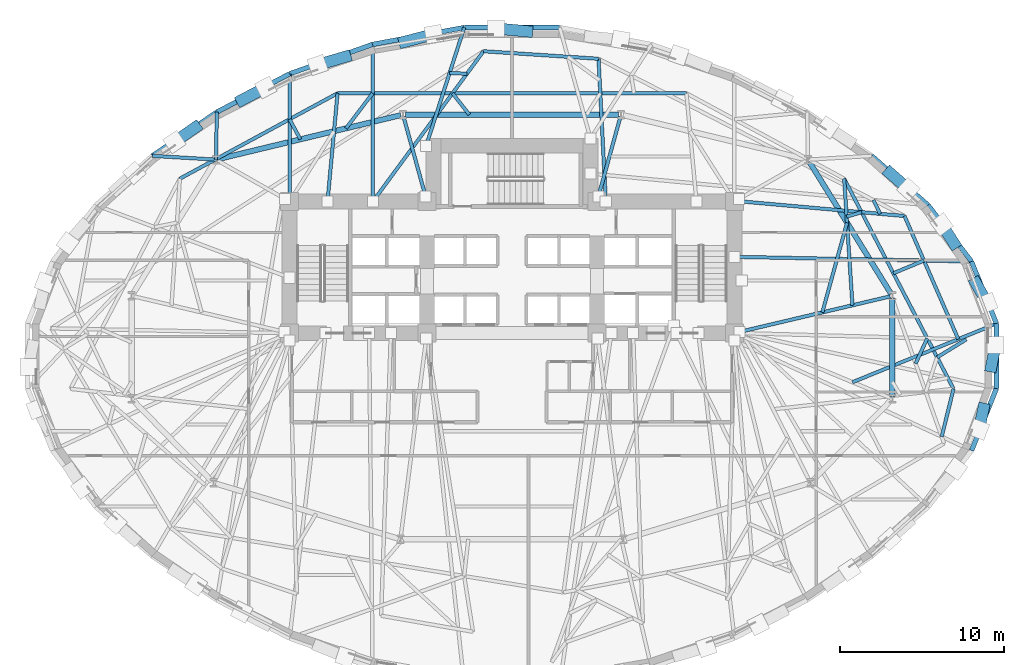
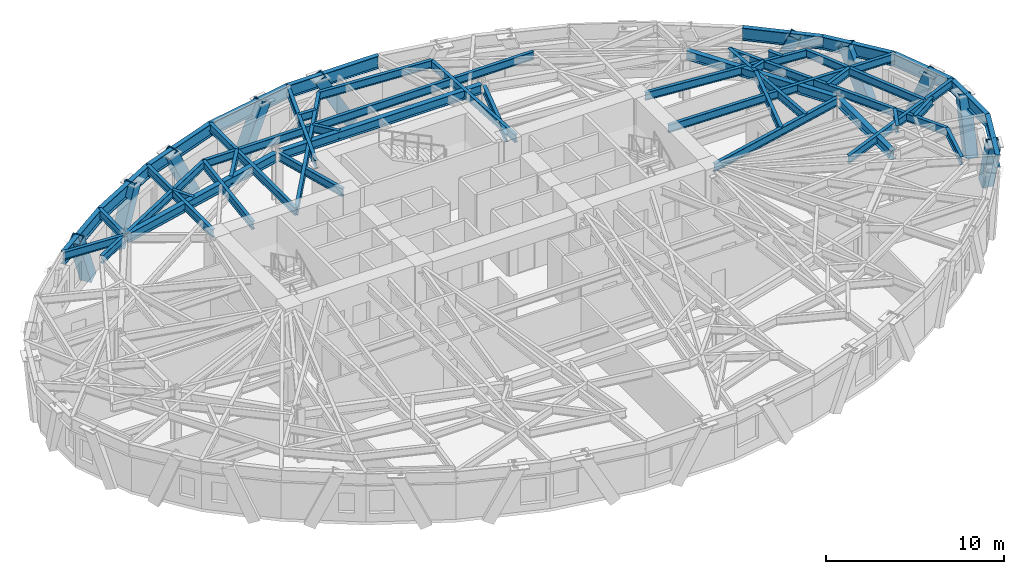
# One storey, part 4 of 14: 45 beams, 10 members.
"""IFC4 building model written with IfcOpenShell, lengths in metres."""

import ifcopenshell
import ifcopenshell.guid

model = None  # the IFC model being written
_history = None  # IfcOwnerHistory: only IFC2X3 demands one
_inside = {}  # id of a spatial element -> (the spatial element, [elements in it])
_under = {}  # id of a project, library or spatial element -> (it, [spatial elements below it])
_declared = {}  # id of a project -> (the project, [libraries it declares])
_typed = {}  # id of a type object -> (the type object, [elements of that type])
_made_of = {}  # id of a material, layer set ... -> (it, [elements and type objects made of it])


def new_model(schema):
    """Start an empty IFC model of exactly this schema.

    Asked for "IFC4X3", IfcOpenShell would pick the latest addendum, in which some entities
    have other attributes; the version numbers below select the first issue.
    IFC2X3 requires an IfcOwnerHistory on every rooted entity: one is made here for all.
    """
    global model, _history
    if schema == "IFC4X3":
        model = ifcopenshell.file(schema_version=(4, 3, 0, 0))
    else:
        model = ifcopenshell.file(schema=schema)
    _inside.clear()
    _under.clear()
    _declared.clear()
    _typed.clear()
    _made_of.clear()
    _history = None
    if model.schema == "IFC2X3":
        org = make("IfcOrganization", Name="unknown")
        user = make(
            "IfcPersonAndOrganization",
            ThePerson=make("IfcPerson", FamilyName="unknown"),
            TheOrganization=org,
        )
        app = make(
            "IfcApplication",
            ApplicationDeveloper=org,
            Version="unknown",
            ApplicationFullName="unknown",
            ApplicationIdentifier="unknown",
        )
        _history = make(
            "IfcOwnerHistory",
            OwningUser=user,
            OwningApplication=app,
            ChangeAction="ADDED",
            CreationDate=0,
        )
    return model


def make(cls, **values):
    """One entity of the class cls with the attributes given. An attribute that is None is left unset."""
    return model.create_entity(
        cls, **{name: value for name, value in values.items() if value is not None}
    )


def rooted(cls, **values):
    """An entity with a GlobalId (a new one), such as an element, a storey or a relation."""
    return make(cls, GlobalId=ifcopenshell.guid.new(), OwnerHistory=_history, **values)


def si_unit(unit_type, name, prefix=None):
    """IfcSIUnit, for example si_unit("LENGTHUNIT", "METRE", prefix="MILLI")."""
    return make("IfcSIUnit", UnitType=unit_type, Prefix=prefix, Name=name)


def assignment(units):
    """IfcUnitAssignment: the units of a project."""
    return None if units is None else make("IfcUnitAssignment", Units=units)


def point(xyz):
    """IfcCartesianPoint."""
    return None if xyz is None else make("IfcCartesianPoint", Coordinates=xyz)


def direction(xyz):
    """IfcDirection."""
    return None if xyz is None else make("IfcDirection", DirectionRatios=xyz)


def frame(location, z_axis=None, x_axis=None):
    """IfcAxis2Placement3D, a coordinate frame: its origin and axes. An axis left out is left unset."""
    return make(
        "IfcAxis2Placement3D",
        Location=point(location),
        Axis=direction(z_axis),
        RefDirection=direction(x_axis),
    )


def frame_2d(location, x_axis=None):
    """IfcAxis2Placement2D, a coordinate frame in the plane: its origin and x axis."""
    return make(
        "IfcAxis2Placement2D", Location=point(location), RefDirection=direction(x_axis)
    )


def origin():
    """The frame at (0, 0, 0) with its axes left unset."""
    return frame((0.0, 0.0, 0.0))


def origin_2d():
    """The frame at (0, 0) in the plane with its x axis left unset."""
    return frame_2d((0.0, 0.0))


def place(relative_to, where):
    """IfcLocalPlacement: puts the frame where relative to a parent placement (None: the world)."""
    return make(
        "IfcLocalPlacement", PlacementRelTo=relative_to, RelativePlacement=where
    )


def context(
    kind, dimensions, precision=None, world=None, true_north=None, identifier=None
):
    """IfcGeometricRepresentationContext, for example the 3D "Model" context."""
    return make(
        "IfcGeometricRepresentationContext",
        ContextIdentifier=identifier,
        ContextType=kind,
        CoordinateSpaceDimension=dimensions,
        Precision=precision,
        WorldCoordinateSystem=world,
        TrueNorth=true_north,
    )


def subcontext(parent, identifier, kind, view, scale=None):
    """IfcGeometricRepresentationSubContext, for example "Body" below "Model"."""
    return make(
        "IfcGeometricRepresentationSubContext",
        ContextIdentifier=identifier,
        ContextType=kind,
        ParentContext=parent,
        TargetScale=scale,
        TargetView=view,
    )


def project(units=None, contexts=None):
    """IfcProject with its units and contexts."""
    return rooted(
        "IfcProject",
        Name="project",
        RepresentationContexts=contexts,
        UnitsInContext=assignment(units),
    )


def spatial(cls, under=None, at=None, **own):
    """A site, building, storey or space (cls), placed at a placement, below another one or the project."""
    s = rooted(cls, ObjectPlacement=at, **own)
    if under is not None:
        _under.setdefault(under.id(), (under, []))[1].append(s)
    return s


def profile(cls, at=None, kind="AREA", **sizes):
    """A parametric profile (cls). Its sizes go by their IFC names, for example OverallWidth=200.0."""
    return make(cls, ProfileType=kind, Position=at, **sizes)


def hollow_rectangle(**sizes):
    """IfcRectangleHollowProfileDef."""
    return profile("IfcRectangleHollowProfileDef", **sizes)


def i_section(**sizes):
    """IfcIShapeProfileDef."""
    return profile("IfcIShapeProfileDef", **sizes)


def extrude(swept, where, along, depth):
    """IfcExtrudedAreaSolid: the profile swept, set in the frame where, extruded along a direction by depth."""
    return make(
        "IfcExtrudedAreaSolid",
        SweptArea=swept,
        Position=where,
        ExtrudedDirection=direction(along),
        Depth=depth,
    )


def shape(context_of_items, identifier, shape_type, items):
    """IfcShapeRepresentation: the items that make up one representation, for example the "Body"."""
    return make(
        "IfcShapeRepresentation",
        ContextOfItems=context_of_items,
        RepresentationIdentifier=identifier,
        RepresentationType=shape_type,
        Items=items,
    )


def material(Name=None, Category=None):
    """IfcMaterial."""
    return make("IfcMaterial", Name=Name, Category=Category)


def material_profile(
    of_material, cross_section, Name=None, Category=None, Priority=None
):
    """IfcMaterialProfile: a cross section and its material."""
    return make(
        "IfcMaterialProfile",
        Name=Name,
        Material=of_material,
        Profile=cross_section,
        Priority=Priority,
        Category=Category,
    )


def profile_set(profiles, Name=None, composite=None):
    """IfcMaterialProfileSet."""
    return make(
        "IfcMaterialProfileSet",
        Name=Name,
        MaterialProfiles=profiles,
        CompositeProfile=composite,
    )


def made_of(thing, what):
    """Note that an element or type object is made of a material, layer set ...; save() writes the relation."""
    if what is not None:
        _made_of.setdefault(what.id(), (what, []))[1].append(thing)
    return thing


def type_object(cls, material=None, **own):
    """A type object (cls), such as IfcWallType, which elements share."""
    return made_of(rooted(cls, **own), material)


def element(
    cls,
    number,
    at=None,
    inside=None,
    cuts=None,
    type_object=None,
    material=None,
    context=None,
    identifier="Body",
    shape_type=None,
    held_by="IfcProductDefinitionShape",
    body=None,
    shapes=None,
    **own,
):
    """One element of the class cls, such as IfcWall. Its Tag is "e" and its number.

    at: its placement. inside: the storey or other place that contains it. cuts: it is an
    opening in that element (IfcRelVoidsElement). A single representation is given by context,
    identifier, shape_type and body (its items); several are given by shapes. held_by: the class
    of the entity that holds the representations. save() writes the other relations.
    """
    e = rooted(cls, Tag="e%d" % number, ObjectPlacement=at, **own)
    if body is not None:
        shapes = [shape(context, identifier, shape_type, body)]
    if shapes is not None:
        e.Representation = make(held_by, Representations=shapes)
    if inside is not None:
        _inside.setdefault(inside.id(), (inside, []))[1].append(e)
    if cuts is not None:
        rooted(
            "IfcRelVoidsElement", RelatingBuildingElement=cuts, RelatedOpeningElement=e
        )
    if type_object is not None:
        _typed.setdefault(type_object.id(), (type_object, []))[1].append(e)
    return made_of(e, material)


def aggregate(whole, parts):
    """IfcRelAggregates: a whole, such as a stair, and the parts it consists of."""
    return rooted("IfcRelAggregates", RelatingObject=whole, RelatedObjects=parts)


def save(model, path):
    """Write the relations noted so far, then the file.

    IfcRelAggregates (storeys below a building ...), IfcRelContainedInSpatialStructure (elements
    in a storey), IfcRelDefinesByType, IfcRelAssociatesMaterial and IfcRelDeclares: one each for
    every whole, place, type object, material and project.
    """
    for whole, parts in _under.values():
        aggregate(whole, parts)
    for where, things in _inside.values():
        rooted(
            "IfcRelContainedInSpatialStructure",
            RelatedElements=things,
            RelatingStructure=where,
        )
    for kind, things in _typed.values():
        rooted("IfcRelDefinesByType", RelatedObjects=things, RelatingType=kind)
    for what, things in _made_of.values():
        rooted("IfcRelAssociatesMaterial", RelatedObjects=things, RelatingMaterial=what)
    for by, libraries in _declared.values():
        rooted("IfcRelDeclares", RelatingContext=by, RelatedDefinitions=libraries)
    model.write(path)


model = new_model("IFC4")

# Units and contexts
model_context = context("Model", 3, precision=1e-05, world=origin(), true_north=direction((0.0, 1.0)))
body_context = subcontext(model_context, "Body", "Model", "MODEL_VIEW")
ifc_project = project(units=[si_unit("LENGTHUNIT", "METRE"), si_unit("AREAUNIT", "SQUARE_METRE"), si_unit("VOLUMEUNIT", "CUBIC_METRE"), si_unit("PLANEANGLEUNIT", "RADIAN"), si_unit("MASSUNIT", "GRAM", prefix="KILO")], contexts=[model_context])

# Site, building, storey
site_placement = place(None, origin())
site = spatial("IfcSite", under=ifc_project, at=site_placement, CompositionType="ELEMENT")
building_placement = place(site_placement, origin())
building = spatial("IfcBuilding", under=site, at=building_placement, Name="Keldmark Tower", CompositionType="ELEMENT")
storey_placement = place(building_placement, frame((0.0, 0.0, 63.0)))
storey = spatial("IfcBuildingStorey", under=building, at=storey_placement, Name="L16", CompositionType="ELEMENT", Elevation=63.0)

# Members
ifc_material_1 = material(Name="Steel ASTM A572 Grade 50", Category="steel")
ifc_material_profile_1 = material_profile(ifc_material_1, hollow_rectangle(XDim=0.699951171875, YDim=0.699951171875, WallThickness=0.054931640625, at=origin_2d()), Name="BOX700X700X55")
ifc_profile_set_1 = profile_set([ifc_material_profile_1], Name="Steel ASTM A572 Grade 50")
member_type = type_object("IfcMemberType", Name="Diagrid Zone 1 Brace BOX700X700X55", PredefinedType="BRACE", material=ifc_profile_set_1)
member_1_placement = place(storey_placement, frame((28.35009765625, 4.477783203125, -0.280029296875), z_axis=(0.183501440883, -0.322942161055, 0.928458713033), x_axis=(0.869443170101, 0.4940329685, 0.0)))
element("IfcMember", 1, at=member_1_placement, inside=storey, type_object=member_type, Name="L16 Perimeter Diagrid Brace 01A", PredefinedType="BRACE", context=body_context, shape_type="SweptSolid", body=[
    extrude(hollow_rectangle(XDim=0.699951171875, YDim=0.699951171875, WallThickness=0.054931640625, at=origin_2d()), origin(), (0.0, 0.0, 1.0), 3.83447265625),
])
member_2_placement = place(storey_placement, frame((27.02978515625, 6.88037109375, -0.280029296875), z_axis=(-0.198169664539, 0.307561872275, 0.930663461612), x_axis=(-0.840616924011, -0.541630120161, 0.0)))
element("IfcMember", 2, at=member_2_placement, inside=storey, type_object=member_type, Name="L16 Perimeter Diagrid Brace 01B", PredefinedType="BRACE", context=body_context, shape_type="SweptSolid", body=[
    extrude(hollow_rectangle(XDim=0.699951171875, YDim=0.699951171875, WallThickness=0.054931640625, at=origin_2d()), origin(), (0.0, 0.0, 1.0), 3.8251953125),
])
member_3_placement = place(storey_placement, frame((23.0888671875, 11.206298828125, -0.280029296875), z_axis=(0.297192050443, -0.260019417464, 0.918731074741), x_axis=(0.65847072007, 0.752606345183, 0.0)))
element("IfcMember", 3, at=member_3_placement, inside=storey, type_object=member_type, Name="L16 Perimeter Diagrid Brace 02A", PredefinedType="BRACE", context=body_context, shape_type="SweptSolid", body=[
    extrude(hollow_rectangle(XDim=0.699951171875, YDim=0.699951171875, WallThickness=0.054931640625, at=origin_2d()), origin(), (0.0, 0.0, 1.0), 3.875),
])
member_4_placement = place(storey_placement, frame((0.9580078125, 19.84765625, -0.280029296875), z_axis=(-0.477382475251, 0.043693857417, 0.877608579691), x_axis=(-0.091146997976, -0.995837448964, 0.0)))
element("IfcMember", 4, at=member_4_placement, inside=storey, type_object=member_type, Name="L16 Perimeter Diagrid Brace 04B", PredefinedType="BRACE", context=body_context, shape_type="SweptSolid", body=[
    extrude(hollow_rectangle(XDim=0.699951171875, YDim=0.699951171875, WallThickness=0.054931640625, at=origin_2d()), origin(), (0.0, 0.0, 1.0), 4.056640625),
])
member_5_placement = place(storey_placement, frame((-6.607177734375, 19.20263671875, -0.280029296875), z_axis=(0.453333942407, 0.118679833379, 0.883404456526), x_axis=(-0.253258573014, 0.967398622696, 0.0)))
element("IfcMember", 5, at=member_5_placement, inside=storey, type_object=member_type, Name="L16 Perimeter Diagrid Brace 05A", PredefinedType="BRACE", context=body_context, shape_type="SweptSolid", body=[
    extrude(hollow_rectangle(XDim=0.699951171875, YDim=0.699951171875, WallThickness=0.054931640625, at=origin_2d()), origin(), (0.0, 0.0, 1.0), 4.030029296875),
])
member_6_placement = place(storey_placement, frame((-10.156005859375, 18.30810546875, -0.280029296875), z_axis=(-0.434388058755, -0.1284516976, 0.891519588004), x_axis=(0.283569007864, -0.958951832877, 0.0)))
element("IfcMember", 6, at=member_6_placement, inside=storey, type_object=member_type, Name="L16 Perimeter Diagrid Brace 05B", PredefinedType="BRACE", context=body_context, shape_type="SweptSolid", body=[
    extrude(hollow_rectangle(XDim=0.699951171875, YDim=0.699951171875, WallThickness=0.054931640625, at=origin_2d()), origin(), (0.0, 0.0, 1.0), 3.9931640625),
])
member_7_placement = place(storey_placement, frame((-16.54150390625, 15.637451171875, -0.280029296875), z_axis=(0.37769881727, 0.198648491251, 0.904368498101), x_axis=(-0.465488856033, 0.885053741255, 0.0)))
element("IfcMember", 7, at=member_7_placement, inside=storey, type_object=member_type, Name="L16 Perimeter Diagrid Brace 06A", PredefinedType="BRACE", context=body_context, shape_type="SweptSolid", body=[
    extrude(hollow_rectangle(XDim=0.699951171875, YDim=0.699951171875, WallThickness=0.054931640625, at=origin_2d()), origin(), (0.0, 0.0, 1.0), 3.9365234375),
])
member_8_placement = place(storey_placement, frame((-19.345947265625, 13.988525390625, -0.280029296875), z_axis=(-0.332120500074, -0.232572113113, 0.914114973968), x_axis=(0.57360760763, -0.819130217041, 0.0)))
element("IfcMember", 8, at=member_8_placement, inside=storey, type_object=member_type, Name="L16 Perimeter Diagrid Brace 06B", PredefinedType="BRACE", context=body_context, shape_type="SweptSolid", body=[
    extrude(hollow_rectangle(XDim=0.699951171875, YDim=0.699951171875, WallThickness=0.054931640625, at=origin_2d()), origin(), (0.0, 0.0, 1.0), 3.89453125),
])
member_9_placement = place(storey_placement, frame((28.828125, -3.204833984375, -0.280029296875), z_axis=(-0.073622103761, -0.339819055353, 0.937604818384), x_axis=(0.977326329116, -0.211738627595, 0.0)))
element("IfcMember", 9, at=member_9_placement, inside=storey, type_object=member_type, Name="L16 Perimeter Diagrid Brace 16A", PredefinedType="BRACE", context=body_context, shape_type="SweptSolid", body=[
    extrude(hollow_rectangle(XDim=0.699951171875, YDim=0.699951171875, WallThickness=0.054931640625, at=origin_2d()), origin(), (0.0, 0.0, 1.0), 3.796875),
])
member_10_placement = place(storey_placement, frame((29.301513671875, -0.647705078125, -0.280029296875), z_axis=(0.068299252719, 0.34521934316, 0.936033555588), x_axis=(-0.980985473206, 0.194081172088, 0.0)))
element("IfcMember", 10, at=member_10_placement, inside=storey, type_object=member_type, Name="L16 Perimeter Diagrid Brace 16B", PredefinedType="BRACE", context=body_context, shape_type="SweptSolid", body=[
    extrude(hollow_rectangle(XDim=0.699951171875, YDim=0.699951171875, WallThickness=0.054931640625, at=origin_2d()), origin(), (0.0, 0.0, 1.0), 3.803466796875),
])

# Beams
ifc_material_2 = material(Name="Steel ASTM A992 Grade 50", Category="steel")
ifc_material_profile_2 = material_profile(ifc_material_2, i_section(OverallWidth=0.323974609375, OverallDepth=0.611083984375, WebThickness=0.0126953125, FlangeThickness=0.01904296875, at=origin_2d()), Name="W24X104")
ifc_profile_set_2 = profile_set([ifc_material_profile_2], Name="Steel ASTM A992 Grade 50")
beam_type_1 = type_object("IfcBeamType", Name="Primary Floor Girder W24X104", PredefinedType="BEAM", material=ifc_profile_set_2)
beam_1_placement = place(storey_placement, frame((23.180419921875, 3.796142578125, 3.094482421875), z_axis=(-0.526318405849, 0.850287560573, 0.0), x_axis=(-0.850287560573, -0.526318405849, 0.0)))
element("IfcBeam", 11, at=beam_1_placement, inside=storey, type_object=beam_type_1, Name="L16 Floor Ring Girder FG-R01", PredefinedType="BEAM", context=body_context, shape_type="SweptSolid", body=[
    extrude(i_section(OverallWidth=0.323974609375, OverallDepth=0.611083984375, WebThickness=0.0126953125, FlangeThickness=0.01904296875, at=origin_2d()), origin(), (0.0, 0.0, 1.0), 9.51708984375),
])
beam_2_placement = place(storey_placement, frame((6.525146484375, 14.760009765625, 3.094482421875), z_axis=(-1.0, 0.0, 0.0), x_axis=(0.0, -1.0, 0.0)))
element("IfcBeam", 12, at=beam_2_placement, inside=storey, type_object=beam_type_1, Name="L16 Floor Ring Girder FG-R03", PredefinedType="BEAM", context=body_context, shape_type="SweptSolid", body=[
    extrude(i_section(OverallWidth=0.323974609375, OverallDepth=0.611083984375, WebThickness=0.0126953125, FlangeThickness=0.01904296875, at=origin_2d()), origin(), (0.0, 0.0, 1.0), 13.05029296875),
])
beam_3_placement = place(storey_placement, frame((-6.80126953125, 14.727294921875, 3.094482421875), z_axis=(-0.972218707757, -0.2340743136, 0.0), x_axis=(0.2340743136, -0.972218707757, 0.0)))
element("IfcBeam", 13, at=beam_3_placement, inside=storey, type_object=beam_type_1, Name="L16 Floor Ring Girder FG-R04", PredefinedType="BEAM", context=body_context, shape_type="SweptSolid", body=[
    extrude(i_section(OverallWidth=0.323974609375, OverallDepth=0.611083984375, WebThickness=0.0126953125, FlangeThickness=0.01904296875, at=origin_2d()), origin(), (0.0, 0.0, 1.0), 11.479248046875),
])
beam_4_placement = place(storey_placement, frame((23.25390625, -2.47314453125, 3.094482421875), z_axis=(0.0, 1.0, 0.0), x_axis=(-1.0, 0.0, 0.0)))
element("IfcBeam", 14, at=beam_4_placement, inside=storey, type_object=beam_type_1, Name="L16 Floor Ring Girder FG-R12", PredefinedType="BEAM", context=body_context, shape_type="SweptSolid", body=[
    extrude(i_section(OverallWidth=0.323974609375, OverallDepth=0.611083984375, WebThickness=0.0126953125, FlangeThickness=0.01904296875, at=origin_2d()), origin(), (0.0, 0.0, 1.0), 6.01025390625),
])
ifc_material_3 = material(Name="Steel ASTM A992 Grade 50", Category="steel")
ifc_material_profile_3 = material_profile(ifc_material_3, i_section(OverallWidth=0.2099609375, OverallDepth=0.537109375, WebThickness=0.010986328125, FlangeThickness=0.017333984375, at=origin_2d()), Name="W21X68")
ifc_profile_set_3 = profile_set([ifc_material_profile_3], Name="Steel ASTM A992 Grade 50")
beam_type_2 = type_object("IfcBeamType", Name="Radial Tie Girder W21X68", PredefinedType="BEAM", material=ifc_profile_set_3)
beam_5_placement = place(storey_placement, frame((18.974853515625, 2.66796875, 3.131591796875), z_axis=(0.26563044238, 0.964074928665, 0.0), x_axis=(-0.964074928665, 0.26563044238, 0.0)))
element("IfcBeam", 15, at=beam_5_placement, inside=storey, type_object=beam_type_2, Name="L16 Framing Pin Header PH-001", PredefinedType="BEAM", context=body_context, shape_type="SweptSolid", body=[
    extrude(i_section(OverallWidth=0.2099609375, OverallDepth=0.537109375, WebThickness=0.010986328125, FlangeThickness=0.017333984375, at=origin_2d()), origin(), (0.0, 0.0, 1.0), 5.6865234375),
])
beam_6_placement = place(storey_placement, frame((20.816162109375, 3.102294921875, 3.131591796875), z_axis=(-0.065409607272, 0.997858498624, 0.0), x_axis=(-0.997858498624, -0.065409607272, 0.0)))
element("IfcBeam", 16, at=beam_6_placement, inside=storey, type_object=beam_type_2, Name="L16 Sub-Ring Step Girder STP1-M01", PredefinedType="BEAM", context=body_context, shape_type="SweptSolid", body=[
    extrude(i_section(OverallWidth=0.2099609375, OverallDepth=0.537109375, WebThickness=0.010986328125, FlangeThickness=0.017333984375, at=origin_2d()), origin(), (0.0, 0.0, 1.0), 7.756103515625),
])
beam_7_placement = place(storey_placement, frame((-11.278564453125, 9.449951171875, 3.131591796875), z_axis=(0.092348000862, 0.99572679322, 0.0), x_axis=(-0.99572679322, 0.092348000862, 0.0)))
element("IfcBeam", 17, at=beam_7_placement, inside=storey, type_object=beam_type_2, Name="L16 Sub-Ring Step Girder STP1-M05", PredefinedType="BEAM", context=body_context, shape_type="SweptSolid", body=[
    extrude(i_section(OverallWidth=0.2099609375, OverallDepth=0.537109375, WebThickness=0.010986328125, FlangeThickness=0.017333984375, at=origin_2d()), origin(), (0.0, 0.0, 1.0), 6.6435546875),
])
beam_8_placement = place(storey_placement, frame((10.6650390625, 16.065185546875, 3.131591796875), z_axis=(-1.0, 0.0, 0.0), x_axis=(0.0, -1.0, 0.0)))
element("IfcBeam", 18, at=beam_8_placement, inside=storey, type_object=beam_type_2, Name="L16 Perimeter Collector Ring Beam CRG1-M02", PredefinedType="BEAM", context=body_context, shape_type="SweptSolid", body=[
    extrude(i_section(OverallWidth=0.2099609375, OverallDepth=0.537109375, WebThickness=0.010986328125, FlangeThickness=0.017333984375, at=origin_2d()), origin(), (0.0, 0.0, 1.0), 21.330078125),
])
beam_9_placement = place(storey_placement, frame((-10.6650390625, 16.065185546875, 3.131591796875), z_axis=(-0.879304784575, -0.476259483709, 0.0), x_axis=(0.476259483709, -0.879304784575, 0.0)))
element("IfcBeam", 19, at=beam_9_placement, inside=storey, type_object=beam_type_2, Name="L16 Perimeter Collector Ring Beam CRG1-M05", PredefinedType="BEAM", context=body_context, shape_type="SweptSolid", body=[
    extrude(i_section(OverallWidth=0.2099609375, OverallDepth=0.537109375, WebThickness=0.010986328125, FlangeThickness=0.017333984375, at=origin_2d()), origin(), (0.0, 0.0, 1.0), 10.967529296875),
])
beam_10_placement = place(storey_placement, frame((26.9970703125, -2.00732421875, 3.131591796875), z_axis=(-0.46171620585, 0.887027702643, 0.0), x_axis=(-0.887027702643, -0.46171620585, 0.0)))
element("IfcBeam", 20, at=beam_10_placement, inside=storey, type_object=beam_type_2, Name="L16 Perimeter Collector Ring Beam CRG1-M12", PredefinedType="BEAM", context=body_context, shape_type="SweptSolid", body=[
    extrude(i_section(OverallWidth=0.2099609375, OverallDepth=0.537109375, WebThickness=0.010986328125, FlangeThickness=0.017333984375, at=origin_2d()), origin(), (0.0, 0.0, 1.0), 14.485595703125),
])
beam_11_placement = place(storey_placement, frame((20.461181640625, 8.52001953125, 3.131591796875), z_axis=(0.957706420883, 0.287747131, 0.0), x_axis=(-0.287747131, 0.957706420883, 0.0)))
element("IfcBeam", 21, at=beam_11_placement, inside=storey, type_object=beam_type_2, Name="L16 Framing Pin Header PH-007", PredefinedType="BEAM", context=body_context, shape_type="SweptSolid", body=[
    extrude(i_section(OverallWidth=0.2099609375, OverallDepth=0.537109375, WebThickness=0.010986328125, FlangeThickness=0.017333984375, at=origin_2d()), origin(), (0.0, 0.0, 1.0), 0.95361328125),
])
beam_12_placement = place(storey_placement, frame((14.050048828125, 9.449951171875, 3.131591796875), z_axis=(0.996018659844, -0.089144989998, 0.0), x_axis=(0.089144989998, 0.996018659844, 0.0)))
element("IfcBeam", 22, at=beam_12_placement, inside=storey, type_object=beam_type_2, Name="L16 Sub-Ring Step Girder STP2-M01", PredefinedType="BEAM", context=body_context, shape_type="SweptSolid", body=[
    extrude(i_section(OverallWidth=0.2099609375, OverallDepth=0.537109375, WebThickness=0.010986328125, FlangeThickness=0.017333984375, at=origin_2d()), origin(), (0.0, 0.0, 1.0), 9.988037109375),
])
beam_13_placement = place(storey_placement, frame((5.735595703125, 9.449951171875, 3.131591796875), z_axis=(-0.050927391467, 0.998702358462, 0.0), x_axis=(-0.998702358462, -0.050927391467, 0.0)))
element("IfcBeam", 23, at=beam_13_placement, inside=storey, type_object=beam_type_2, Name="L16 Sub-Ring Step Girder STP2-M03", PredefinedType="BEAM", context=body_context, shape_type="SweptSolid", body=[
    extrude(i_section(OverallWidth=0.2099609375, OverallDepth=0.537109375, WebThickness=0.010986328125, FlangeThickness=0.017333984375, at=origin_2d()), origin(), (0.0, 0.0, 1.0), 8.734375),
])
beam_14_placement = place(storey_placement, frame((-2.610107421875, 14.760009765625, 3.131591796875), z_axis=(-0.61760061877, 0.786491878976, 0.0), x_axis=(-0.786491878976, -0.61760061877, 0.0)))
element("IfcBeam", 24, at=beam_14_placement, inside=storey, type_object=beam_type_2, Name="L16 Framing Pin Header PH-009", PredefinedType="BEAM", context=body_context, shape_type="SweptSolid", body=[
    extrude(i_section(OverallWidth=0.2099609375, OverallDepth=0.537109375, WebThickness=0.010986328125, FlangeThickness=0.017333984375, at=origin_2d()), origin(), (0.0, 0.0, 1.0), 1.659423828125),
])
beam_15_placement = place(storey_placement, frame((-8.507080078125, 9.449951171875, 3.131591796875), z_axis=(0.593032566624, 0.805178473957, 0.0), x_axis=(-0.805178473957, 0.593032566624, 0.0)))
element("IfcBeam", 25, at=beam_15_placement, inside=storey, type_object=beam_type_2, Name="L16 Sub-Ring Step Girder STP2-M04", PredefinedType="BEAM", context=body_context, shape_type="SweptSolid", body=[
    extrude(i_section(OverallWidth=0.2099609375, OverallDepth=0.537109375, WebThickness=0.010986328125, FlangeThickness=0.017333984375, at=origin_2d()), origin(), (0.0, 0.0, 1.0), 11.406982421875),
])
beam_16_placement = place(storey_placement, frame((5.290771484375, 18.173095703125, 3.131591796875), z_axis=(-0.997854798112, 0.065466036116, 0.0), x_axis=(-0.065466036116, -0.997854798112, 0.0)))
element("IfcBeam", 26, at=beam_16_placement, inside=storey, type_object=beam_type_2, Name="L16 Perimeter Collector Ring Beam CRG2-M03", PredefinedType="BEAM", context=body_context, shape_type="SweptSolid", body=[
    extrude(i_section(OverallWidth=0.2099609375, OverallDepth=0.537109375, WebThickness=0.010986328125, FlangeThickness=0.017333984375, at=origin_2d()), origin(), (0.0, 0.0, 1.0), 7.04833984375),
])
beam_17_placement = place(storey_placement, frame((24.677978515625, -0.459228515625, 3.131591796875), z_axis=(0.418574840934, 0.908182306884, 0.0), x_axis=(-0.908182306884, 0.418574840934, 0.0)))
element("IfcBeam", 27, at=beam_17_placement, inside=storey, type_object=beam_type_2, Name="L16 Framing Pin Header PH-015", PredefinedType="BEAM", context=body_context, shape_type="SweptSolid", body=[
    extrude(i_section(OverallWidth=0.2099609375, OverallDepth=0.537109375, WebThickness=0.010986328125, FlangeThickness=0.017333984375, at=origin_2d()), origin(), (0.0, 0.0, 1.0), 1.697998046875),
])
beam_18_placement = place(storey_placement, frame((25.993896484375, -0.079833984375, 3.131591796875), z_axis=(0.851349208211, 0.524599395423, 0.0), x_axis=(-0.524599395423, 0.851349208211, 0.0)))
element("IfcBeam", 28, at=beam_18_placement, inside=storey, type_object=beam_type_2, Name="L16 Local Collector Chord RT-01C", PredefinedType="BEAM", context=body_context, shape_type="SweptSolid", body=[
    extrude(i_section(OverallWidth=0.2099609375, OverallDepth=0.537109375, WebThickness=0.010986328125, FlangeThickness=0.017333984375, at=origin_2d()), origin(), (0.0, 0.0, 1.0), 2.089111328125),
])
beam_19_placement = place(storey_placement, frame((23.998291015625, 8.5595703125, 3.131591796875), z_axis=(0.400285696165, -0.916390397945, 0.0), x_axis=(0.916390397945, 0.400285696165, 0.0)))
element("IfcBeam", 29, at=beam_19_placement, inside=storey, type_object=beam_type_2, Name="L16 Framing Pin Header PH-016", PredefinedType="BEAM", context=body_context, shape_type="SweptSolid", body=[
    extrude(i_section(OverallWidth=0.2099609375, OverallDepth=0.537109375, WebThickness=0.010986328125, FlangeThickness=0.017333984375, at=origin_2d()), origin(), (0.0, 0.0, 1.0), 8.216796875),
])
beam_20_placement = place(storey_placement, frame((20.8173828125, -1.600341796875, 3.131591796875), z_axis=(0.92638565006, 0.376576190648, 0.0), x_axis=(-0.376576190648, 0.92638565006, 0.0)))
element("IfcBeam", 30, at=beam_20_placement, inside=storey, type_object=beam_type_2, Name="L16 Perimeter Radial Tie Girder RT-01", PredefinedType="BEAM", context=body_context, shape_type="SweptSolid", body=[
    extrude(i_section(OverallWidth=0.2099609375, OverallDepth=0.537109375, WebThickness=0.010986328125, FlangeThickness=0.017333984375, at=origin_2d()), origin(), (0.0, 0.0, 1.0), 9.5029296875),
])
beam_21_placement = place(storey_placement, frame((22.506103515625, 8.693115234375, 3.131591796875), z_axis=(-0.432918258645, 0.901433181845, 0.0), x_axis=(-0.901433181845, -0.432918258645, 0.0)))
element("IfcBeam", 31, at=beam_21_placement, inside=storey, type_object=beam_type_2, Name="L16 Framing Pin Header PH-017", PredefinedType="BEAM", context=body_context, shape_type="SweptSolid", body=[
    extrude(i_section(OverallWidth=0.2099609375, OverallDepth=0.537109375, WebThickness=0.010986328125, FlangeThickness=0.017333984375, at=origin_2d()), origin(), (0.0, 0.0, 1.0), 0.932861328125),
])
beam_22_placement = place(storey_placement, frame((-2.757080078125, 17.2568359375, 3.131591796875), z_axis=(-0.998867615148, 0.047576122248, 0.0), x_axis=(-0.047576122248, -0.998867615148, 0.0)))
element("IfcBeam", 32, at=beam_22_placement, inside=storey, type_object=beam_type_2, Name="L16 Framing Pin Header PH-021", PredefinedType="BEAM", context=body_context, shape_type="SweptSolid", body=[
    extrude(i_section(OverallWidth=0.2099609375, OverallDepth=0.537109375, WebThickness=0.010986328125, FlangeThickness=0.017333984375, at=origin_2d()), origin(), (0.0, 0.0, 1.0), 1.05712890625),
])
beam_23_placement = place(storey_placement, frame((-5.25, 12.85009765625, 3.131591796875), z_axis=(0.306865763555, 0.9517528057, 0.0), x_axis=(-0.9517528057, 0.306865763555, 0.0)))
element("IfcBeam", 33, at=beam_23_placement, inside=storey, type_object=beam_type_2, Name="L16 Perimeter Radial Tie Girder RT-09", PredefinedType="BEAM", context=body_context, shape_type="SweptSolid", body=[
    extrude(i_section(OverallWidth=0.2099609375, OverallDepth=0.537109375, WebThickness=0.010986328125, FlangeThickness=0.017333984375, at=origin_2d()), origin(), (0.0, 0.0, 1.0), 7.60107421875),
])
beam_24_placement = place(storey_placement, frame((-10.1494140625, 13.921142578125, 3.131591796875), z_axis=(0.605409522086, 0.795914135173, 0.0), x_axis=(-0.795914135173, 0.605409522086, 0.0)))
element("IfcBeam", 34, at=beam_24_placement, inside=storey, type_object=beam_type_2, Name="L16 Framing Pin Header PH-022", PredefinedType="BEAM", context=body_context, shape_type="SweptSolid", body=[
    extrude(i_section(OverallWidth=0.2099609375, OverallDepth=0.537109375, WebThickness=0.010986328125, FlangeThickness=0.017333984375, at=origin_2d()), origin(), (0.0, 0.0, 1.0), 2.69384765625),
])
beam_25_placement = place(storey_placement, frame((-8.507080078125, 9.449951171875, 3.131591796875), z_axis=(-0.001728869581, 0.999998505504, 0.0), x_axis=(-0.999998505504, -0.001728869581, 0.0)))
element("IfcBeam", 35, at=beam_25_placement, inside=storey, type_object=beam_type_2, Name="L16 Perimeter Radial Tie Girder RT-10", PredefinedType="BEAM", context=body_context, shape_type="SweptSolid", body=[
    extrude(i_section(OverallWidth=0.2099609375, OverallDepth=0.537109375, WebThickness=0.010986328125, FlangeThickness=0.017333984375, at=origin_2d()), origin(), (0.0, 0.0, 1.0), 9.6025390625),
])
beam_26_placement = place(storey_placement, frame((-12.939453125, 13.249267578125, 3.131591796875), z_axis=(-0.474350685984, 0.880335973766, 0.0), x_axis=(-0.880335973766, -0.474350685984, 0.0)))
element("IfcBeam", 36, at=beam_26_placement, inside=storey, type_object=beam_type_2, Name="L16 Framing Pin Header PH-023", PredefinedType="BEAM", context=body_context, shape_type="SweptSolid", body=[
    extrude(i_section(OverallWidth=0.2099609375, OverallDepth=0.537109375, WebThickness=0.010986328125, FlangeThickness=0.017333984375, at=origin_2d()), origin(), (0.0, 0.0, 1.0), 1.392822265625),
])
beam_27_placement = place(storey_placement, frame((-13.60009765625, 9.89990234375, 3.131591796875), z_axis=(0.0, 1.0, 0.0), x_axis=(-1.0, 0.0, 0.0)))
element("IfcBeam", 37, at=beam_27_placement, inside=storey, type_object=beam_type_2, Name="L16 Perimeter Radial Tie Girder RT-11", PredefinedType="BEAM", context=body_context, shape_type="SweptSolid", body=[
    extrude(i_section(OverallWidth=0.2099609375, OverallDepth=0.537109375, WebThickness=0.010986328125, FlangeThickness=0.017333984375, at=origin_2d()), origin(), (0.0, 0.0, 1.0), 7.352783203125),
])
beam_28_placement = place(storey_placement, frame((-18.09765625, 12.00732421875, 3.131591796875), z_axis=(0.01697805012, 0.999855862519, 0.0), x_axis=(-0.999855862519, 0.01697805012, 0.0)))
element("IfcBeam", 38, at=beam_28_placement, inside=storey, type_object=beam_type_2, Name="L16 Perimeter Column Bracket RT-12", PredefinedType="BEAM", context=body_context, shape_type="SweptSolid", body=[
    extrude(i_section(OverallWidth=0.2099609375, OverallDepth=0.537109375, WebThickness=0.010986328125, FlangeThickness=0.017333984375, at=origin_2d()), origin(), (0.0, 0.0, 1.0), 2.90478515625),
])
beam_29_placement = place(storey_placement, frame((-18.09765625, 12.00732421875, 3.131591796875), z_axis=(-0.998253376983, 0.059077875235, 0.0), x_axis=(-0.059077875235, -0.998253376983, 0.0)))
element("IfcBeam", 39, at=beam_29_placement, inside=storey, type_object=beam_type_2, Name="L16 Perimeter Column Bracket RT-13", PredefinedType="BEAM", context=body_context, shape_type="SweptSolid", body=[
    extrude(i_section(OverallWidth=0.2099609375, OverallDepth=0.537109375, WebThickness=0.010986328125, FlangeThickness=0.017333984375, at=origin_2d()), origin(), (0.0, 0.0, 1.0), 3.901123046875),
])
beam_30_placement = place(storey_placement, frame((26.9970703125, -2.00732421875, 3.131591796875), z_axis=(-0.240742996891, -0.970588898271, 0.0), x_axis=(0.970588898271, -0.240742996891, 0.0)))
element("IfcBeam", 40, at=beam_30_placement, inside=storey, type_object=beam_type_2, Name="L16 Framing Pin Header PH-042", PredefinedType="BEAM", context=body_context, shape_type="SweptSolid", body=[
    extrude(i_section(OverallWidth=0.2099609375, OverallDepth=0.537109375, WebThickness=0.010986328125, FlangeThickness=0.017333984375, at=origin_2d()), origin(), (0.0, 0.0, 1.0), 3.012939453125),
])
beam_31_placement = place(storey_placement, frame((23.318603515625, 5.059814453125, 3.131591796875), z_axis=(0.923419128622, 0.383793059989, 0.0), x_axis=(-0.383793059989, 0.923419128622, 0.0)))
element("IfcBeam", 41, at=beam_31_placement, inside=storey, type_object=beam_type_2, Name="L16 Framing Pin Header PH-044", PredefinedType="BEAM", context=body_context, shape_type="SweptSolid", body=[
    extrude(i_section(OverallWidth=0.2099609375, OverallDepth=0.537109375, WebThickness=0.010986328125, FlangeThickness=0.017333984375, at=origin_2d()), origin(), (0.0, 0.0, 1.0), 2.024169921875),
])
beam_32_placement = place(storey_placement, frame((13.60009765625, 6.064208984375, 3.131591796875), z_axis=(0.999807303684, -0.019630473783, 0.0), x_axis=(0.019630473783, 0.999807303684, 0.0)))
element("IfcBeam", 42, at=beam_32_placement, inside=storey, type_object=beam_type_2, Name="L16 Perimeter Radial Tie Girder RT-02R", PredefinedType="BEAM", context=body_context, shape_type="SweptSolid", body=[
    extrude(i_section(OverallWidth=0.2099609375, OverallDepth=0.537109375, WebThickness=0.010986328125, FlangeThickness=0.017333984375, at=origin_2d()), origin(), (0.0, 0.0, 1.0), 14.501220703125),
])
ifc_material_4 = material(Name="Steel ASTM A992 Grade 50", Category="steel")
ifc_material_profile_4 = material_profile(ifc_material_4, i_section(OverallWidth=0.214111328125, OverallDepth=0.549072265625, WebThickness=0.0146484375, FlangeThickness=0.023681640625, at=origin_2d()), Name="W21X93")
ifc_profile_set_4 = profile_set([ifc_material_profile_4], Name="Steel ASTM A992 Grade 50")
beam_type_3 = type_object("IfcBeamType", Name="Radial Tie Girder W21X93", PredefinedType="BEAM", material=ifc_profile_set_4)
beam_33_placement = place(storey_placement, frame((23.11767578125, 3.64501953125, 3.12548828125), z_axis=(-0.973287364179, -0.229590301909, 0.0), x_axis=(0.229590301909, -0.973287364179, 0.0)))
element("IfcBeam", 43, at=beam_33_placement, inside=storey, type_object=beam_type_3, Name="L16 Floor Radial Girder FG-C01", PredefinedType="BEAM", context=body_context, shape_type="SweptSolid", body=[
    extrude(i_section(OverallWidth=0.214111328125, OverallDepth=0.549072265625, WebThickness=0.0146484375, FlangeThickness=0.023681640625, at=origin_2d()), origin(), (0.0, 0.0, 1.0), 9.458740234375),
])
for number, where, z_axis, x_axis, name in (
    (44, (6.6279296875, 14.625, 3.12548828125), (-0.265984786353, -0.963977226613, 0.0), (0.963977226613, -0.265984786353, 0.0), "L16 Floor Radial Girder FG-C03"),
    (45, (-6.6279296875, 14.625, 3.12548828125), (0.265984786353, -0.963977226613, 0.0), (0.963977226613, 0.265984786353, 0.0), "L16 Floor Radial Girder FG-C04"),
):
    element("IfcBeam", number, at=place(storey_placement, frame(where, z_axis=z_axis, x_axis=x_axis)), inside=storey, type_object=beam_type_3, Name=name, PredefinedType="BEAM", context=body_context, shape_type="SweptSolid", body=[
        extrude(i_section(OverallWidth=0.214111328125, OverallDepth=0.549072265625, WebThickness=0.0146484375, FlangeThickness=0.023681640625, at=origin_2d()), origin(), (0.0, 0.0, 1.0), 5.04833984375),
    ])
ifc_material_5 = material(Name="Steel ASTM A992 Grade 50", Category="steel")
ifc_material_profile_5 = material_profile(ifc_material_5, i_section(OverallWidth=0.2919921875, OverallDepth=0.85888671875, WebThickness=0.01708984375, FlangeThickness=0.031005859375, at=origin_2d()), Name="W33X169")
ifc_profile_set_5 = profile_set([ifc_material_profile_5], Name="Steel ASTM A992 Grade 50")
beam_type_4 = type_object("IfcBeamType", Name="Spandrel Ring Beam W33X169", PredefinedType="SPANDREL", material=ifc_profile_set_5)
beam_34_placement = place(storey_placement, frame((29.620849609375, 1.978271484375, 2.970458984375), z_axis=(-0.37175044344, 0.928332703185, 0.0), x_axis=(-0.928332703185, -0.37175044344, 0.0)))
element("IfcBeam", 46, at=beam_34_placement, inside=storey, type_object=beam_type_4, Name="L16 Perimeter Spandrel Ring Beam SRB-01", PredefinedType="SPANDREL", context=body_context, shape_type="SweptSolid", body=[
    extrude(i_section(OverallWidth=0.2919921875, OverallDepth=0.85888671875, WebThickness=0.01708984375, FlangeThickness=0.031005859375, at=origin_2d()), origin(), (0.0, 0.0, 1.0), 4.0947265625),
])
beam_35_placement = place(storey_placement, frame((28.0986328125, 5.779541015625, 2.970458984375), z_axis=(-0.610649514798, 0.791900985021, 0.0), x_axis=(-0.791900985021, -0.610649514798, 0.0)))
element("IfcBeam", 47, at=beam_35_placement, inside=storey, type_object=beam_type_4, Name="L16 Perimeter Spandrel Ring Beam SRB-02", PredefinedType="SPANDREL", context=body_context, shape_type="SweptSolid", body=[
    extrude(i_section(OverallWidth=0.2919921875, OverallDepth=0.85888671875, WebThickness=0.01708984375, FlangeThickness=0.031005859375, at=origin_2d()), origin(), (0.0, 0.0, 1.0), 4.3466796875),
])
beam_36_placement = place(storey_placement, frame((25.4443359375, 9.2216796875, 2.970458984375), z_axis=(-0.753087816079, 0.657920011303, 0.0), x_axis=(-0.657920011303, -0.753087816079, 0.0)))
element("IfcBeam", 48, at=beam_36_placement, inside=storey, type_object=beam_type_4, Name="L16 Perimeter Spandrel Ring Beam SRB-03", PredefinedType="SPANDREL", context=body_context, shape_type="SweptSolid", body=[
    extrude(i_section(OverallWidth=0.2919921875, OverallDepth=0.85888671875, WebThickness=0.01708984375, FlangeThickness=0.031005859375, at=origin_2d()), origin(), (0.0, 0.0, 1.0), 4.584228515625),
])
beam_37_placement = place(storey_placement, frame((2.91748046875, 20.08447265625, 2.970458984375), z_axis=(-1.0, 0.0, 0.0), x_axis=(0.0, -1.0, 0.0)))
element("IfcBeam", 49, at=beam_37_placement, inside=storey, type_object=beam_type_4, Name="L16 Perimeter Spandrel Ring Beam SRB-08", PredefinedType="SPANDREL", context=body_context, shape_type="SweptSolid", body=[
    extrude(i_section(OverallWidth=0.2919921875, OverallDepth=0.85888671875, WebThickness=0.01708984375, FlangeThickness=0.031005859375, at=origin_2d()), origin(), (0.0, 0.0, 1.0), 5.8349609375),
])
beam_38_placement = place(storey_placement, frame((-2.91748046875, 20.08447265625, 2.970458984375), z_axis=(-0.98347627312, -0.181037068609, 0.0), x_axis=(0.181037068609, -0.98347627312, 0.0)))
element("IfcBeam", 50, at=beam_38_placement, inside=storey, type_object=beam_type_4, Name="L16 Perimeter Spandrel Ring Beam SRB-09", PredefinedType="SPANDREL", context=body_context, shape_type="SweptSolid", body=[
    extrude(i_section(OverallWidth=0.2919921875, OverallDepth=0.85888671875, WebThickness=0.01708984375, FlangeThickness=0.031005859375, at=origin_2d()), origin(), (0.0, 0.0, 1.0), 5.700439453125),
])
beam_39_placement = place(storey_placement, frame((-8.523681640625, 19.052490234375, 2.970458984375), z_axis=(-0.942515730584, -0.334161783575, 0.0), x_axis=(0.334161783575, -0.942515730584, 0.0)))
element("IfcBeam", 51, at=beam_39_placement, inside=storey, type_object=beam_type_4, Name="L16 Perimeter Spandrel Ring Beam SRB-10", PredefinedType="SPANDREL", context=body_context, shape_type="SweptSolid", body=[
    extrude(i_section(OverallWidth=0.2919921875, OverallDepth=0.85888671875, WebThickness=0.01708984375, FlangeThickness=0.031005859375, at=origin_2d()), origin(), (0.0, 0.0, 1.0), 5.385986328125),
])
beam_40_placement = place(storey_placement, frame((-13.60009765625, 17.252685546875, 2.970458984375), z_axis=(-0.884927704222, -0.465728416892, 0.0), x_axis=(0.465728416892, -0.884927704222, 0.0)))
element("IfcBeam", 52, at=beam_40_placement, inside=storey, type_object=beam_type_4, Name="L16 Perimeter Spandrel Ring Beam SRB-11", PredefinedType="SPANDREL", context=body_context, shape_type="SweptSolid", body=[
    extrude(i_section(OverallWidth=0.2919921875, OverallDepth=0.85888671875, WebThickness=0.01708984375, FlangeThickness=0.031005859375, at=origin_2d()), origin(), (0.0, 0.0, 1.0), 5.026611328125),
])
beam_41_placement = place(storey_placement, frame((-18.04833984375, 14.91162109375, 2.970458984375), z_axis=(-0.827689135004, -0.561186863528, 0.0), x_axis=(0.561186863528, -0.827689135004, 0.0)))
element("IfcBeam", 53, at=beam_41_placement, inside=storey, type_object=beam_type_4, Name="L16 Perimeter Spandrel Ring Beam SRB-12", PredefinedType="SPANDREL", context=body_context, shape_type="SweptSolid", body=[
    extrude(i_section(OverallWidth=0.2919921875, OverallDepth=0.85888671875, WebThickness=0.01708984375, FlangeThickness=0.031005859375, at=origin_2d()), origin(), (0.0, 0.0, 1.0), 4.7646484375),
])
beam_42_placement = place(storey_placement, frame((28.0986328125, -5.779541015625, 2.970458984375), z_axis=(0.37175044344, 0.928332703185, 0.0), x_axis=(-0.928332703185, 0.37175044344, 0.0)))
element("IfcBeam", 54, at=beam_42_placement, inside=storey, type_object=beam_type_4, Name="L16 Perimeter Spandrel Ring Beam SRB-31", PredefinedType="SPANDREL", context=body_context, shape_type="SweptSolid", body=[
    extrude(i_section(OverallWidth=0.2919921875, OverallDepth=0.85888671875, WebThickness=0.01708984375, FlangeThickness=0.031005859375, at=origin_2d()), origin(), (0.0, 0.0, 1.0), 4.0947265625),
])
beam_43_placement = place(storey_placement, frame((29.620849609375, -1.978271484375, 2.970458984375), z_axis=(0.0, 1.0, 0.0), x_axis=(-1.0, 0.0, 0.0)))
element("IfcBeam", 55, at=beam_43_placement, inside=storey, type_object=beam_type_4, Name="L16 Perimeter Spandrel Ring Beam SRB-32", PredefinedType="SPANDREL", context=body_context, shape_type="SweptSolid", body=[
    extrude(i_section(OverallWidth=0.2919921875, OverallDepth=0.85888671875, WebThickness=0.01708984375, FlangeThickness=0.031005859375, at=origin_2d()), origin(), (0.0, 0.0, 1.0), 3.95654296875),
])

save(model, "model.ifc")
